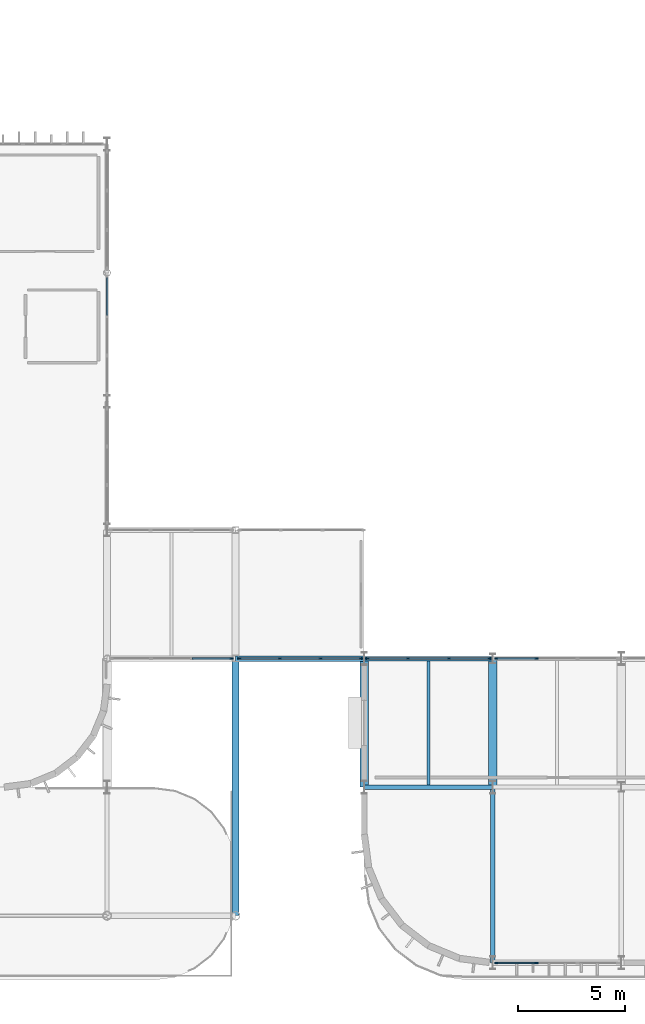
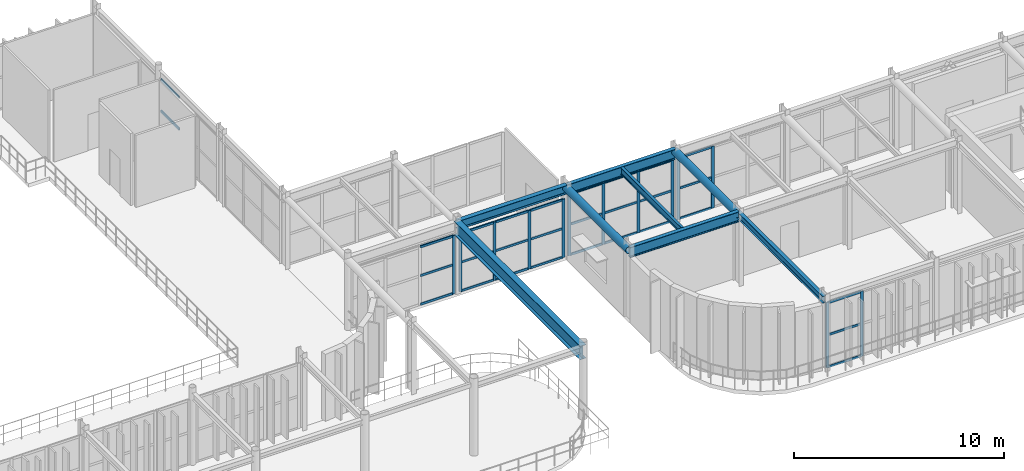
# One storey, part 37 of 96: 42 members, 8 beams, 6 elements without a shape of their own.
"""IFC4 building model written with IfcOpenShell, lengths in metres."""

from ifc_helpers import new_model, si_unit, direction, frame, origin, origin_2d, place, context, subcontext, project, spatial, rectangle, hollow_circle, i_section, extrude, material, material_profile, profile_set, type_object, element, aggregate, save


model = new_model("IFC4")

# Units and contexts
model_context = context("Model", 3, precision=1e-05, world=origin(), true_north=direction((0.0, 1.0)))
body_context = subcontext(model_context, "Body", "Model", "MODEL_VIEW")
ifc_project = project(units=[si_unit("LENGTHUNIT", "METRE"), si_unit("AREAUNIT", "SQUARE_METRE"), si_unit("VOLUMEUNIT", "CUBIC_METRE"), si_unit("PLANEANGLEUNIT", "RADIAN"), si_unit("MASSUNIT", "GRAM", prefix="KILO")], contexts=[model_context])

# Site, building, storey
site_placement = place(None, origin())
site = spatial("IfcSite", under=ifc_project, at=site_placement, CompositionType="ELEMENT")
building_placement = place(site_placement, origin())
building = spatial("IfcBuilding", under=site, at=building_placement, Name="Varnakota Square Police Headquarters", CompositionType="ELEMENT")
storey_placement = place(building_placement, frame((0.0, 0.0, 4.800048828125)))
storey = spatial("IfcBuildingStorey", under=building, at=storey_placement, Name="L01", CompositionType="ELEMENT", Elevation=4.800048828125)

# Beams
ifc_material_1 = material(Name="Steel IS 2062 Grade 350", Category="steel")
ifc_material_profile_1 = material_profile(ifc_material_1, hollow_circle(Radius=0.203125, WallThickness=0.01611328125, at=origin_2d()), Name="CHS 406.4x16.0")
ifc_profile_set_1 = profile_set([ifc_material_profile_1], Name="Steel IS 2062 Grade 350")
beam_type_1 = type_object("IfcBeamType", Name="BM-ARC-CHS406", PredefinedType="BEAM", material=ifc_profile_set_1)
for number, where, z_axis, x_axis, name in (
    (1, (108.0, 9.0, 3.996826171875), (0.0, 1.0, 0.0), (-1.0, 0.0, 0.0), "BMG-L01-1680"),
    (2, (114.0, 9.0, 3.996826171875), (0.0, 1.0, 0.0), (-1.0, 0.0, 0.0), "BMG-L01-1687"),
):
    element("IfcBeam", number, at=place(storey_placement, frame(where, z_axis=z_axis, x_axis=x_axis)), inside=storey, type_object=beam_type_1, Name=name, PredefinedType="BEAM", context=body_context, shape_type="SweptSolid", body=[
        extrude(hollow_circle(Radius=0.203125, WallThickness=0.01611328125, at=origin_2d()), origin(), (0.0, 0.0, 1.0), 6.0),
    ])
ifc_material_profile_2 = material_profile(ifc_material_1, i_section(OverallWidth=0.320068359375, OverallDepth=0.800048828125, WebThickness=0.01611328125, FlangeThickness=0.028076171875, at=origin_2d()), Name="BPG 800x320")
ifc_profile_set_2 = profile_set([ifc_material_profile_2], Name="Steel IS 2062 Grade 350")
beam_type_2 = type_object("IfcBeamType", Name="BM-BPG800", PredefinedType="BEAM", material=ifc_profile_set_2)
beam_1_placement = place(storey_placement, frame((102.0, 3.0, 3.800048828125), z_axis=(0.0, 1.0, 0.0), x_axis=(-1.0, 0.0, 0.0)))
element("IfcBeam", 3, at=beam_1_placement, inside=storey, type_object=beam_type_2, Name="BMG-L01-1678", PredefinedType="BEAM", context=body_context, shape_type="SweptSolid", body=[
    extrude(i_section(OverallWidth=0.320068359375, OverallDepth=0.800048828125, WebThickness=0.01611328125, FlangeThickness=0.028076171875, at=origin_2d()), origin(), (0.0, 0.0, 1.0), 12.0),
])
ifc_material_profile_3 = material_profile(ifc_material_1, i_section(OverallWidth=0.139892578125, OverallDepth=0.39990234375, WebThickness=0.0087890625, FlangeThickness=0.01611328125, FilletRadius=0.013916015625, at=origin_2d()), Name="ISMB 400")
ifc_profile_set_3 = profile_set([ifc_material_profile_3], Name="Steel IS 2062 Grade 350")
beam_type_3 = type_object("IfcBeamType", Name="BM-ISMB400", PredefinedType="JOIST", material=ifc_profile_set_3)
beam_2_placement = place(storey_placement, frame((111.0, 9.10302734375, 4.0), z_axis=(0.0, 1.0, 0.0), x_axis=(-1.0, 0.0, 0.0)))
element("IfcBeam", 4, at=beam_2_placement, inside=storey, type_object=beam_type_3, Name="BMG-L01-1847", PredefinedType="JOIST", context=body_context, shape_type="SweptSolid", body=[
    extrude(i_section(OverallWidth=0.139892578125, OverallDepth=0.39990234375, WebThickness=0.0087890625, FlangeThickness=0.01611328125, FilletRadius=0.013916015625, at=origin_2d()), origin(), (0.0, 0.0, 1.0), 5.7939453125),
])
ifc_material_profile_4 = material_profile(ifc_material_1, i_section(OverallWidth=0.2099609375, OverallDepth=0.60009765625, WebThickness=0.011962890625, FlangeThickness=0.020751953125, FilletRadius=0.02001953125, at=origin_2d()), Name="ISMB 600")
ifc_profile_set_4 = profile_set([ifc_material_profile_4], Name="Steel IS 2062 Grade 350")
beam_type_4 = type_object("IfcBeamType", Name="BM-ISMB600", PredefinedType="BEAM", material=ifc_profile_set_4)
for number, where, z_axis, x_axis, name in (
    (5, (108.0, 9.0, 3.89990234375), (1.0, 0.0, 0.0), (0.0, 1.0, 0.0), "BMG-L01-1332"),
    (6, (108.0, 15.0, 3.89990234375), (1.0, 0.0, 0.0), (0.0, 1.0, 0.0), "BMG-L01-1346"),
):
    element("IfcBeam", number, at=place(storey_placement, frame(where, z_axis=z_axis, x_axis=x_axis)), inside=storey, type_object=beam_type_4, Name=name, PredefinedType="BEAM", context=body_context, shape_type="SweptSolid", body=[
        extrude(i_section(OverallWidth=0.2099609375, OverallDepth=0.60009765625, WebThickness=0.011962890625, FlangeThickness=0.020751953125, FilletRadius=0.02001953125, at=origin_2d()), origin(), (0.0, 0.0, 1.0), 6.0),
    ])
ifc_material_profile_5 = material_profile(ifc_material_1, i_section(OverallWidth=0.199951171875, OverallDepth=0.39990234375, WebThickness=0.008544921875, FlangeThickness=0.012939453125, FilletRadius=0.012939453125, at=origin_2d()), Name="ISWB 400")
ifc_profile_set_5 = profile_set([ifc_material_profile_5], Name="Steel IS 2062 Grade 350")
beam_type_5 = type_object("IfcBeamType", Name="BM-ISWB400", PredefinedType="BEAM", material=ifc_profile_set_5)
beam_3_placement = place(storey_placement, frame((114.0, 0.800048828125, 4.0), z_axis=(0.0, 1.0, 0.0), x_axis=(-1.0, 0.0, 0.0)))
element("IfcBeam", 7, at=beam_3_placement, inside=storey, type_object=beam_type_5, Name="BMG-L01-1686", PredefinedType="BEAM", context=body_context, shape_type="SweptSolid", body=[
    extrude(i_section(OverallWidth=0.199951171875, OverallDepth=0.39990234375, WebThickness=0.008544921875, FlangeThickness=0.012939453125, FilletRadius=0.012939453125, at=origin_2d()), origin(), (0.0, 0.0, 1.0), 8.199951171875),
])
ifc_material_profile_6 = material_profile(ifc_material_1, i_section(OverallWidth=0.25, OverallDepth=0.5, WebThickness=0.010009765625, FlangeThickness=0.0146484375, FilletRadius=0.014892578125, at=origin_2d()), Name="ISWB 500")
ifc_profile_set_6 = profile_set([ifc_material_profile_6], Name="Steel IS 2062 Grade 350")
beam_type_6 = type_object("IfcBeamType", Name="BM-ISWB500", PredefinedType="BEAM", material=ifc_profile_set_6)
beam_4_placement = place(storey_placement, frame((102.0, 15.0, 3.949951171875), z_axis=(1.0, 0.0, 0.0), x_axis=(0.0, 1.0, 0.0)))
element("IfcBeam", 8, at=beam_4_placement, inside=storey, type_object=beam_type_6, Name="BMG-L01-1345", PredefinedType="BEAM", context=body_context, shape_type="SweptSolid", body=[
    extrude(i_section(OverallWidth=0.25, OverallDepth=0.5, WebThickness=0.010009765625, FlangeThickness=0.0146484375, FilletRadius=0.014892578125, at=origin_2d()), origin(), (0.0, 0.0, 1.0), 6.0),
])

# Curtain wall, members
ifc_material_2 = material(Name="Anodised Aluminium Framing", Category="aluminium")
curtain_wall_type_1 = type_object("IfcCurtainWallType", Name="CW-SYS-B", PredefinedType="NOTDEFINED", material=ifc_material_2)
curtain_wall_1_placement = place(storey_placement, origin())
curtain_wall_1 = element("IfcCurtainWall", 9, at=curtain_wall_1_placement, inside=storey, type_object=curtain_wall_type_1, Name="Unitised curtain wall CWG-L01-055", PredefinedType="NOTDEFINED")
ifc_material_3 = material(Name="Anodised Aluminium 6063-T6", Category="aluminium")
ifc_material_profile_7 = material_profile(ifc_material_3, rectangle(XDim=0.06494140625, YDim=0.159912109375, at=origin_2d()), Name="ALU MULLION 65x160")
ifc_profile_set_7 = profile_set([ifc_material_profile_7], Name="Anodised Aluminium 6063-T6")
member_type_1 = type_object("IfcMemberType", Name="CWM-150", PredefinedType="MULLION", material=ifc_profile_set_7)
member_1_placement = place(storey_placement, frame((114.16259765625, 0.800048828125, 0.0), z_axis=(0.0, 0.0, 1.0), x_axis=(0.0, 1.0, 0.0)))
member_1 = element("IfcMember", 10, at=member_1_placement, type_object=member_type_1, Name="CWG-L01-055 mullion 1", PredefinedType="MULLION", context=body_context, shape_type="SweptSolid", body=[
    extrude(rectangle(XDim=0.06494140625, YDim=0.159912109375, at=origin_2d()), origin(), (0.0, 0.0, 1.0), 3.7900390625),
])
member_2_placement = place(storey_placement, frame((116.043212890625, 0.800048828125, 0.0), z_axis=(0.0, 0.0, 1.0), x_axis=(0.0, 1.0, 0.0)))
member_2 = element("IfcMember", 11, at=member_2_placement, type_object=member_type_1, Name="CWG-L01-055 mullion 2", PredefinedType="MULLION", context=body_context, shape_type="SweptSolid", body=[
    extrude(rectangle(XDim=0.06494140625, YDim=0.159912109375, at=origin_2d()), origin(), (0.0, 0.0, 1.0), 3.7900390625),
])

curtain_wall_type_2 = type_object("IfcCurtainWallType", Name="CW-SYS-D", PredefinedType="NOTDEFINED", material=ifc_material_2)
curtain_wall_2_placement = place(storey_placement, origin())
curtain_wall_2 = element("IfcCurtainWall", 12, at=curtain_wall_2_placement, inside=storey, type_object=curtain_wall_type_2, Name="Unitised curtain wall CWG-L01-058", PredefinedType="NOTDEFINED")
member_3_placement = place(storey_placement, frame((108.16259765625, 15.0, 0.0), z_axis=(0.0, 0.0, 1.0), x_axis=(0.0, 1.0, 0.0)))
member_3 = element("IfcMember", 13, at=member_3_placement, type_object=member_type_1, Name="CWG-L01-058 mullion 1", PredefinedType="MULLION", context=body_context, shape_type="SweptSolid", body=[
    extrude(rectangle(XDim=0.06494140625, YDim=0.159912109375, at=origin_2d()), origin(), (0.0, 0.0, 1.0), 3.58984375),
])
member_4_placement = place(storey_placement, frame((110.043212890625, 15.0, 0.0), z_axis=(0.0, 0.0, 1.0), x_axis=(0.0, 1.0, 0.0)))
member_4 = element("IfcMember", 14, at=member_4_placement, type_object=member_type_1, Name="CWG-L01-058 mullion 2", PredefinedType="MULLION", context=body_context, shape_type="SweptSolid", body=[
    extrude(rectangle(XDim=0.06494140625, YDim=0.159912109375, at=origin_2d()), origin(), (0.0, 0.0, 1.0), 3.58984375),
])
member_5_placement = place(storey_placement, frame((111.956787109375, 15.0, 0.0), z_axis=(0.0, 0.0, 1.0), x_axis=(0.0, 1.0, 0.0)))
member_5 = element("IfcMember", 15, at=member_5_placement, type_object=member_type_1, Name="CWG-L01-058 mullion 3", PredefinedType="MULLION", context=body_context, shape_type="SweptSolid", body=[
    extrude(rectangle(XDim=0.06494140625, YDim=0.159912109375, at=origin_2d()), origin(), (0.0, 0.0, 1.0), 3.58984375),
])
member_6_placement = place(storey_placement, frame((113.83740234375, 15.0, 0.0), z_axis=(0.0, 0.0, 1.0), x_axis=(0.0, 1.0, 0.0)))
member_6 = element("IfcMember", 16, at=member_6_placement, type_object=member_type_1, Name="CWG-L01-058 mullion 4", PredefinedType="MULLION", context=body_context, shape_type="SweptSolid", body=[
    extrude(rectangle(XDim=0.06494140625, YDim=0.159912109375, at=origin_2d()), origin(), (0.0, 0.0, 1.0), 3.58984375),
])

curtain_wall_3_placement = place(storey_placement, origin())
curtain_wall_3 = element("IfcCurtainWall", 17, at=curtain_wall_3_placement, inside=storey, type_object=curtain_wall_type_2, Name="Unitised curtain wall CWG-L01-059", PredefinedType="NOTDEFINED")
member_7_placement = place(storey_placement, frame((114.16259765625, 15.0, 0.0), z_axis=(0.0, 0.0, 1.0), x_axis=(0.0, 1.0, 0.0)))
member_7 = element("IfcMember", 18, at=member_7_placement, type_object=member_type_1, Name="CWG-L01-059 mullion 1", PredefinedType="MULLION", context=body_context, shape_type="SweptSolid", body=[
    extrude(rectangle(XDim=0.06494140625, YDim=0.159912109375, at=origin_2d()), origin(), (0.0, 0.0, 1.0), 3.58984375),
])
member_8_placement = place(storey_placement, frame((116.043212890625, 15.0, 0.0), z_axis=(0.0, 0.0, 1.0), x_axis=(0.0, 1.0, 0.0)))
member_8 = element("IfcMember", 19, at=member_8_placement, type_object=member_type_1, Name="CWG-L01-059 mullion 2", PredefinedType="MULLION", context=body_context, shape_type="SweptSolid", body=[
    extrude(rectangle(XDim=0.06494140625, YDim=0.159912109375, at=origin_2d()), origin(), (0.0, 0.0, 1.0), 3.58984375),
])

# Curtain wall, member
curtain_wall_type_3 = type_object("IfcCurtainWallType", Name="CW-SYS-E", PredefinedType="NOTDEFINED", material=ifc_material_2)
curtain_wall_4_placement = place(storey_placement, origin())
curtain_wall_4 = element("IfcCurtainWall", 20, at=curtain_wall_4_placement, inside=storey, type_object=curtain_wall_type_3, Name="Unitised curtain wall CWG-L01-216", PredefinedType="NOTDEFINED")
member_9_placement = place(storey_placement, frame((101.8125, 15.0, 0.0), z_axis=(0.0, 0.0, 1.0), x_axis=(0.0, 1.0, 0.0)))
member_9 = element("IfcMember", 21, at=member_9_placement, type_object=member_type_1, Name="CWG-L01-216 mullion 4", PredefinedType="MULLION", context=body_context, shape_type="SweptSolid", body=[
    extrude(rectangle(XDim=0.06494140625, YDim=0.159912109375, at=origin_2d()), origin(), (0.0, 0.0, 1.0), 3.389892578125),
])

# Curtain wall, members
curtain_wall_5_placement = place(storey_placement, origin())
curtain_wall_5 = element("IfcCurtainWall", 22, at=curtain_wall_5_placement, inside=storey, type_object=curtain_wall_type_3, Name="Unitised curtain wall CWG-L01-218", PredefinedType="NOTDEFINED")
member_10_placement = place(storey_placement, frame((102.1875, 15.0, 0.0), z_axis=(0.0, 0.0, 1.0), x_axis=(0.0, 1.0, 0.0)))
member_10 = element("IfcMember", 23, at=member_10_placement, type_object=member_type_1, Name="CWG-L01-218 mullion 1", PredefinedType="MULLION", context=body_context, shape_type="SweptSolid", body=[
    extrude(rectangle(XDim=0.06494140625, YDim=0.159912109375, at=origin_2d()), origin(), (0.0, 0.0, 1.0), 3.389892578125),
])
member_11_placement = place(storey_placement, frame((104.06005859375, 15.0, 0.0), z_axis=(0.0, 0.0, 1.0), x_axis=(0.0, 1.0, 0.0)))
member_11 = element("IfcMember", 24, at=member_11_placement, type_object=member_type_1, Name="CWG-L01-218 mullion 2", PredefinedType="MULLION", context=body_context, shape_type="SweptSolid", body=[
    extrude(rectangle(XDim=0.06494140625, YDim=0.159912109375, at=origin_2d()), origin(), (0.0, 0.0, 1.0), 3.389892578125),
])
member_12_placement = place(storey_placement, frame((105.965087890625, 15.0, 0.0), z_axis=(0.0, 0.0, 1.0), x_axis=(0.0, 1.0, 0.0)))
member_12 = element("IfcMember", 25, at=member_12_placement, type_object=member_type_1, Name="CWG-L01-218 mullion 3", PredefinedType="MULLION", context=body_context, shape_type="SweptSolid", body=[
    extrude(rectangle(XDim=0.06494140625, YDim=0.159912109375, at=origin_2d()), origin(), (0.0, 0.0, 1.0), 3.389892578125),
])
member_13_placement = place(storey_placement, frame((107.83740234375, 15.0, 0.0), z_axis=(0.0, 0.0, 1.0), x_axis=(0.0, 1.0, 0.0)))
member_13 = element("IfcMember", 26, at=member_13_placement, type_object=member_type_1, Name="CWG-L01-218 mullion 4", PredefinedType="MULLION", context=body_context, shape_type="SweptSolid", body=[
    extrude(rectangle(XDim=0.06494140625, YDim=0.159912109375, at=origin_2d()), origin(), (0.0, 0.0, 1.0), 3.389892578125),
])

curtain_wall_6_placement = place(storey_placement, origin())
curtain_wall_6 = element("IfcCurtainWall", 27, at=curtain_wall_6_placement, inside=storey, type_object=curtain_wall_type_1, Name="Unitised curtain wall CWG-L01-032", PredefinedType="NOTDEFINED")
ifc_material_profile_8 = material_profile(ifc_material_3, rectangle(XDim=0.06494140625, YDim=0.1298828125, at=origin_2d()), Name="ALU TRANSOM 65x130")
ifc_profile_set_8 = profile_set([ifc_material_profile_8], Name="Anodised Aluminium 6063-T6")
member_type_2 = type_object("IfcMemberType", Name="CWT-120", PredefinedType="USERDEFINED", material=ifc_profile_set_8)
member_14_placement = place(storey_placement, frame((96.0, 31.02294921875, 1.869873046875), z_axis=(0.0, 1.0, 0.0), x_axis=(-1.0, 0.0, 0.0)))
member_14 = element("IfcMember", 28, at=member_14_placement, type_object=member_type_2, Name="CWG-L01-032 transom 3.2", ObjectType="TRANSOM", PredefinedType="USERDEFINED", context=body_context, shape_type="SweptSolid", body=[
    extrude(rectangle(XDim=0.06494140625, YDim=0.1298828125, at=origin_2d()), origin(), (0.0, 0.0, 1.0), 1.7451171875),
])
member_15_placement = place(storey_placement, frame((96.0, 31.02294921875, 3.70751953125), z_axis=(0.0, 1.0, 0.0), x_axis=(-1.0, 0.0, 0.0)))
member_15 = element("IfcMember", 29, at=member_15_placement, type_object=member_type_2, Name="CWG-L01-032 transom 3.3", ObjectType="TRANSOM", PredefinedType="USERDEFINED", context=body_context, shape_type="SweptSolid", body=[
    extrude(rectangle(XDim=0.06494140625, YDim=0.1298828125, at=origin_2d()), origin(), (0.0, 0.0, 1.0), 1.7451171875),
])
aggregate(curtain_wall_6, [member_14, member_15])

# Member
member_16_placement = place(storey_placement, frame((114.195068359375, 0.800048828125, 0.032470703125), z_axis=(1.0, 0.0, 0.0), x_axis=(0.0, 1.0, 0.0)))
member_16 = element("IfcMember", 30, at=member_16_placement, type_object=member_type_2, Name="CWG-L01-055 transom 1.1", ObjectType="TRANSOM", PredefinedType="USERDEFINED", context=body_context, shape_type="SweptSolid", body=[
    extrude(rectangle(XDim=0.06494140625, YDim=0.1298828125, at=origin_2d()), origin(), (0.0, 0.0, 1.0), 1.815673828125),
])

member_17_placement = place(storey_placement, frame((114.195068359375, 0.800048828125, 1.89501953125), z_axis=(1.0, 0.0, 0.0), x_axis=(0.0, 1.0, 0.0)))
member_17 = element("IfcMember", 31, at=member_17_placement, type_object=member_type_2, Name="CWG-L01-055 transom 1.2", ObjectType="TRANSOM", PredefinedType="USERDEFINED", context=body_context, shape_type="SweptSolid", body=[
    extrude(rectangle(XDim=0.06494140625, YDim=0.1298828125, at=origin_2d()), origin(), (0.0, 0.0, 1.0), 1.815673828125),
])

member_18_placement = place(storey_placement, frame((114.195068359375, 0.800048828125, 3.757568359375), z_axis=(1.0, 0.0, 0.0), x_axis=(0.0, 1.0, 0.0)))
member_18 = element("IfcMember", 32, at=member_18_placement, type_object=member_type_2, Name="CWG-L01-055 transom 1.3", ObjectType="TRANSOM", PredefinedType="USERDEFINED", context=body_context, shape_type="SweptSolid", body=[
    extrude(rectangle(XDim=0.06494140625, YDim=0.1298828125, at=origin_2d()), origin(), (0.0, 0.0, 1.0), 1.815673828125),
])

aggregate(curtain_wall_1, [member_1, member_2, member_16, member_17, member_18])

member_19_placement = place(storey_placement, frame((108.195068359375, 15.0, 0.032470703125), z_axis=(1.0, 0.0, 0.0), x_axis=(0.0, 1.0, 0.0)))
member_19 = element("IfcMember", 33, at=member_19_placement, type_object=member_type_2, Name="CWG-L01-058 transom 1.1", ObjectType="TRANSOM", PredefinedType="USERDEFINED", context=body_context, shape_type="SweptSolid", body=[
    extrude(rectangle(XDim=0.06494140625, YDim=0.1298828125, at=origin_2d()), origin(), (0.0, 0.0, 1.0), 1.815673828125),
])

member_20_placement = place(storey_placement, frame((108.195068359375, 15.0, 1.794921875), z_axis=(1.0, 0.0, 0.0), x_axis=(0.0, 1.0, 0.0)))
member_20 = element("IfcMember", 34, at=member_20_placement, type_object=member_type_2, Name="CWG-L01-058 transom 1.2", ObjectType="TRANSOM", PredefinedType="USERDEFINED", context=body_context, shape_type="SweptSolid", body=[
    extrude(rectangle(XDim=0.06494140625, YDim=0.1298828125, at=origin_2d()), origin(), (0.0, 0.0, 1.0), 1.815673828125),
])

member_21_placement = place(storey_placement, frame((108.195068359375, 15.0, 3.557373046875), z_axis=(1.0, 0.0, 0.0), x_axis=(0.0, 1.0, 0.0)))
member_21 = element("IfcMember", 35, at=member_21_placement, type_object=member_type_2, Name="CWG-L01-058 transom 1.3", ObjectType="TRANSOM", PredefinedType="USERDEFINED", context=body_context, shape_type="SweptSolid", body=[
    extrude(rectangle(XDim=0.06494140625, YDim=0.1298828125, at=origin_2d()), origin(), (0.0, 0.0, 1.0), 1.815673828125),
])

member_22_placement = place(storey_placement, frame((110.075927734375, 15.0, 0.032470703125), z_axis=(1.0, 0.0, 0.0), x_axis=(0.0, 1.0, 0.0)))
member_22 = element("IfcMember", 36, at=member_22_placement, type_object=member_type_2, Name="CWG-L01-058 transom 2.1", ObjectType="TRANSOM", PredefinedType="USERDEFINED", context=body_context, shape_type="SweptSolid", body=[
    extrude(rectangle(XDim=0.06494140625, YDim=0.1298828125, at=origin_2d()), origin(), (0.0, 0.0, 1.0), 1.84814453125),
])

member_23_placement = place(storey_placement, frame((110.075927734375, 15.0, 1.794921875), z_axis=(1.0, 0.0, 0.0), x_axis=(0.0, 1.0, 0.0)))
member_23 = element("IfcMember", 37, at=member_23_placement, type_object=member_type_2, Name="CWG-L01-058 transom 2.2", ObjectType="TRANSOM", PredefinedType="USERDEFINED", context=body_context, shape_type="SweptSolid", body=[
    extrude(rectangle(XDim=0.06494140625, YDim=0.1298828125, at=origin_2d()), origin(), (0.0, 0.0, 1.0), 1.84814453125),
])

member_24_placement = place(storey_placement, frame((110.075927734375, 15.0, 3.557373046875), z_axis=(1.0, 0.0, 0.0), x_axis=(0.0, 1.0, 0.0)))
member_24 = element("IfcMember", 38, at=member_24_placement, type_object=member_type_2, Name="CWG-L01-058 transom 2.3", ObjectType="TRANSOM", PredefinedType="USERDEFINED", context=body_context, shape_type="SweptSolid", body=[
    extrude(rectangle(XDim=0.06494140625, YDim=0.1298828125, at=origin_2d()), origin(), (0.0, 0.0, 1.0), 1.84814453125),
])

member_25_placement = place(storey_placement, frame((111.9892578125, 15.0, 0.032470703125), z_axis=(1.0, 0.0, 0.0), x_axis=(0.0, 1.0, 0.0)))
member_25 = element("IfcMember", 39, at=member_25_placement, type_object=member_type_2, Name="CWG-L01-058 transom 3.1", ObjectType="TRANSOM", PredefinedType="USERDEFINED", context=body_context, shape_type="SweptSolid", body=[
    extrude(rectangle(XDim=0.06494140625, YDim=0.1298828125, at=origin_2d()), origin(), (0.0, 0.0, 1.0), 1.815673828125),
])

member_26_placement = place(storey_placement, frame((111.9892578125, 15.0, 1.794921875), z_axis=(1.0, 0.0, 0.0), x_axis=(0.0, 1.0, 0.0)))
member_26 = element("IfcMember", 40, at=member_26_placement, type_object=member_type_2, Name="CWG-L01-058 transom 3.2", ObjectType="TRANSOM", PredefinedType="USERDEFINED", context=body_context, shape_type="SweptSolid", body=[
    extrude(rectangle(XDim=0.06494140625, YDim=0.1298828125, at=origin_2d()), origin(), (0.0, 0.0, 1.0), 1.815673828125),
])

member_27_placement = place(storey_placement, frame((111.9892578125, 15.0, 3.557373046875), z_axis=(1.0, 0.0, 0.0), x_axis=(0.0, 1.0, 0.0)))
member_27 = element("IfcMember", 41, at=member_27_placement, type_object=member_type_2, Name="CWG-L01-058 transom 3.3", ObjectType="TRANSOM", PredefinedType="USERDEFINED", context=body_context, shape_type="SweptSolid", body=[
    extrude(rectangle(XDim=0.06494140625, YDim=0.1298828125, at=origin_2d()), origin(), (0.0, 0.0, 1.0), 1.815673828125),
])

aggregate(curtain_wall_2, [member_3, member_4, member_5, member_6, member_19, member_20, member_21, member_22, member_23, member_24, member_25, member_26, member_27])

member_28_placement = place(storey_placement, frame((114.195068359375, 15.0, 0.032470703125), z_axis=(1.0, 0.0, 0.0), x_axis=(0.0, 1.0, 0.0)))
member_28 = element("IfcMember", 42, at=member_28_placement, type_object=member_type_2, Name="CWG-L01-059 transom 1.1", ObjectType="TRANSOM", PredefinedType="USERDEFINED", context=body_context, shape_type="SweptSolid", body=[
    extrude(rectangle(XDim=0.06494140625, YDim=0.1298828125, at=origin_2d()), origin(), (0.0, 0.0, 1.0), 1.815673828125),
])

member_29_placement = place(storey_placement, frame((114.195068359375, 15.0, 1.794921875), z_axis=(1.0, 0.0, 0.0), x_axis=(0.0, 1.0, 0.0)))
member_29 = element("IfcMember", 43, at=member_29_placement, type_object=member_type_2, Name="CWG-L01-059 transom 1.2", ObjectType="TRANSOM", PredefinedType="USERDEFINED", context=body_context, shape_type="SweptSolid", body=[
    extrude(rectangle(XDim=0.06494140625, YDim=0.1298828125, at=origin_2d()), origin(), (0.0, 0.0, 1.0), 1.815673828125),
])

member_30_placement = place(storey_placement, frame((114.195068359375, 15.0, 3.557373046875), z_axis=(1.0, 0.0, 0.0), x_axis=(0.0, 1.0, 0.0)))
member_30 = element("IfcMember", 44, at=member_30_placement, type_object=member_type_2, Name="CWG-L01-059 transom 1.3", ObjectType="TRANSOM", PredefinedType="USERDEFINED", context=body_context, shape_type="SweptSolid", body=[
    extrude(rectangle(XDim=0.06494140625, YDim=0.1298828125, at=origin_2d()), origin(), (0.0, 0.0, 1.0), 1.815673828125),
])

aggregate(curtain_wall_3, [member_7, member_8, member_28, member_29, member_30])

member_31_placement = place(storey_placement, frame((99.98486328125, 15.0, 0.032470703125), z_axis=(1.0, 0.0, 0.0), x_axis=(0.0, 1.0, 0.0)))
member_31 = element("IfcMember", 45, at=member_31_placement, type_object=member_type_2, Name="CWG-L01-216 transom 3.1", ObjectType="TRANSOM", PredefinedType="USERDEFINED", context=body_context, shape_type="SweptSolid", body=[
    extrude(rectangle(XDim=0.06494140625, YDim=0.1298828125, at=origin_2d()), origin(), (0.0, 0.0, 1.0), 1.795166015625),
])

member_32_placement = place(storey_placement, frame((99.98486328125, 15.0, 1.695068359375), z_axis=(1.0, 0.0, 0.0), x_axis=(0.0, 1.0, 0.0)))
member_32 = element("IfcMember", 46, at=member_32_placement, type_object=member_type_2, Name="CWG-L01-216 transom 3.2", ObjectType="TRANSOM", PredefinedType="USERDEFINED", context=body_context, shape_type="SweptSolid", body=[
    extrude(rectangle(XDim=0.06494140625, YDim=0.1298828125, at=origin_2d()), origin(), (0.0, 0.0, 1.0), 1.795166015625),
])

member_33_placement = place(storey_placement, frame((99.98486328125, 15.0, 3.357421875), z_axis=(1.0, 0.0, 0.0), x_axis=(0.0, 1.0, 0.0)))
member_33 = element("IfcMember", 47, at=member_33_placement, type_object=member_type_2, Name="CWG-L01-216 transom 3.3", ObjectType="TRANSOM", PredefinedType="USERDEFINED", context=body_context, shape_type="SweptSolid", body=[
    extrude(rectangle(XDim=0.06494140625, YDim=0.1298828125, at=origin_2d()), origin(), (0.0, 0.0, 1.0), 1.795166015625),
])

aggregate(curtain_wall_4, [member_9, member_31, member_32, member_33])

member_34_placement = place(storey_placement, frame((102.219970703125, 15.0, 0.032470703125), z_axis=(1.0, 0.0, 0.0), x_axis=(0.0, 1.0, 0.0)))
member_34 = element("IfcMember", 48, at=member_34_placement, type_object=member_type_2, Name="CWG-L01-218 transom 1.1", ObjectType="TRANSOM", PredefinedType="USERDEFINED", context=body_context, shape_type="SweptSolid", body=[
    extrude(rectangle(XDim=0.06494140625, YDim=0.1298828125, at=origin_2d()), origin(), (0.0, 0.0, 1.0), 1.8076171875),
])

member_35_placement = place(storey_placement, frame((102.219970703125, 15.0, 1.695068359375), z_axis=(1.0, 0.0, 0.0), x_axis=(0.0, 1.0, 0.0)))
member_35 = element("IfcMember", 49, at=member_35_placement, type_object=member_type_2, Name="CWG-L01-218 transom 1.2", ObjectType="TRANSOM", PredefinedType="USERDEFINED", context=body_context, shape_type="SweptSolid", body=[
    extrude(rectangle(XDim=0.06494140625, YDim=0.1298828125, at=origin_2d()), origin(), (0.0, 0.0, 1.0), 1.8076171875),
])

member_36_placement = place(storey_placement, frame((102.219970703125, 15.0, 3.357421875), z_axis=(1.0, 0.0, 0.0), x_axis=(0.0, 1.0, 0.0)))
member_36 = element("IfcMember", 50, at=member_36_placement, type_object=member_type_2, Name="CWG-L01-218 transom 1.3", ObjectType="TRANSOM", PredefinedType="USERDEFINED", context=body_context, shape_type="SweptSolid", body=[
    extrude(rectangle(XDim=0.06494140625, YDim=0.1298828125, at=origin_2d()), origin(), (0.0, 0.0, 1.0), 1.8076171875),
])

member_37_placement = place(storey_placement, frame((104.092529296875, 15.0, 0.032470703125), z_axis=(1.0, 0.0, 0.0), x_axis=(0.0, 1.0, 0.0)))
member_37 = element("IfcMember", 51, at=member_37_placement, type_object=member_type_2, Name="CWG-L01-218 transom 2.1", ObjectType="TRANSOM", PredefinedType="USERDEFINED", context=body_context, shape_type="SweptSolid", body=[
    extrude(rectangle(XDim=0.06494140625, YDim=0.1298828125, at=origin_2d()), origin(), (0.0, 0.0, 1.0), 1.840087890625),
])

member_38_placement = place(storey_placement, frame((104.092529296875, 15.0, 1.695068359375), z_axis=(1.0, 0.0, 0.0), x_axis=(0.0, 1.0, 0.0)))
member_38 = element("IfcMember", 52, at=member_38_placement, type_object=member_type_2, Name="CWG-L01-218 transom 2.2", ObjectType="TRANSOM", PredefinedType="USERDEFINED", context=body_context, shape_type="SweptSolid", body=[
    extrude(rectangle(XDim=0.06494140625, YDim=0.1298828125, at=origin_2d()), origin(), (0.0, 0.0, 1.0), 1.840087890625),
])

member_39_placement = place(storey_placement, frame((104.092529296875, 15.0, 3.357421875), z_axis=(1.0, 0.0, 0.0), x_axis=(0.0, 1.0, 0.0)))
member_39 = element("IfcMember", 53, at=member_39_placement, type_object=member_type_2, Name="CWG-L01-218 transom 2.3", ObjectType="TRANSOM", PredefinedType="USERDEFINED", context=body_context, shape_type="SweptSolid", body=[
    extrude(rectangle(XDim=0.06494140625, YDim=0.1298828125, at=origin_2d()), origin(), (0.0, 0.0, 1.0), 1.840087890625),
])

member_40_placement = place(storey_placement, frame((105.99755859375, 15.0, 0.032470703125), z_axis=(1.0, 0.0, 0.0), x_axis=(0.0, 1.0, 0.0)))
member_40 = element("IfcMember", 54, at=member_40_placement, type_object=member_type_2, Name="CWG-L01-218 transom 3.1", ObjectType="TRANSOM", PredefinedType="USERDEFINED", context=body_context, shape_type="SweptSolid", body=[
    extrude(rectangle(XDim=0.06494140625, YDim=0.1298828125, at=origin_2d()), origin(), (0.0, 0.0, 1.0), 1.807373046875),
])

member_41_placement = place(storey_placement, frame((105.99755859375, 15.0, 1.695068359375), z_axis=(1.0, 0.0, 0.0), x_axis=(0.0, 1.0, 0.0)))
member_41 = element("IfcMember", 55, at=member_41_placement, type_object=member_type_2, Name="CWG-L01-218 transom 3.2", ObjectType="TRANSOM", PredefinedType="USERDEFINED", context=body_context, shape_type="SweptSolid", body=[
    extrude(rectangle(XDim=0.06494140625, YDim=0.1298828125, at=origin_2d()), origin(), (0.0, 0.0, 1.0), 1.807373046875),
])

member_42_placement = place(storey_placement, frame((105.99755859375, 15.0, 3.357421875), z_axis=(1.0, 0.0, 0.0), x_axis=(0.0, 1.0, 0.0)))
member_42 = element("IfcMember", 56, at=member_42_placement, type_object=member_type_2, Name="CWG-L01-218 transom 3.3", ObjectType="TRANSOM", PredefinedType="USERDEFINED", context=body_context, shape_type="SweptSolid", body=[
    extrude(rectangle(XDim=0.06494140625, YDim=0.1298828125, at=origin_2d()), origin(), (0.0, 0.0, 1.0), 1.807373046875),
])

aggregate(curtain_wall_5, [member_10, member_11, member_12, member_13, member_34, member_35, member_36, member_37, member_38, member_39, member_40, member_41, member_42])

save(model, "model.ifc")
